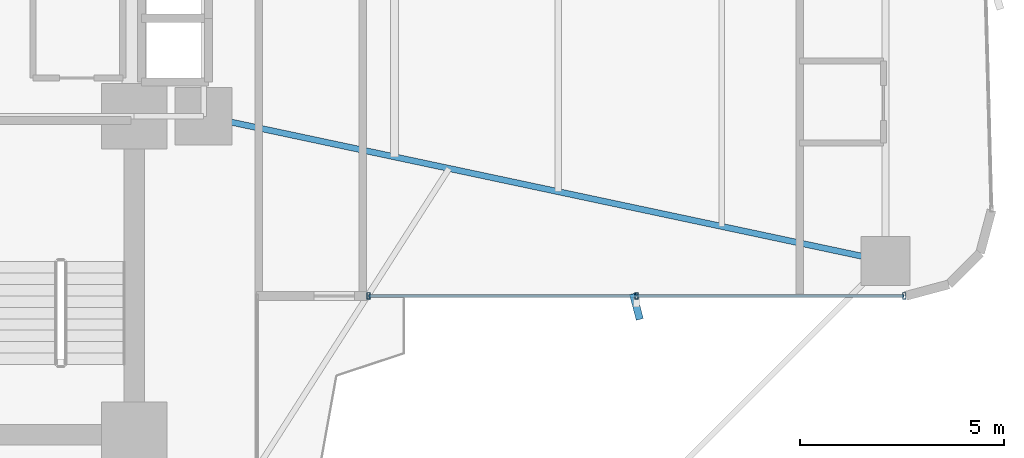
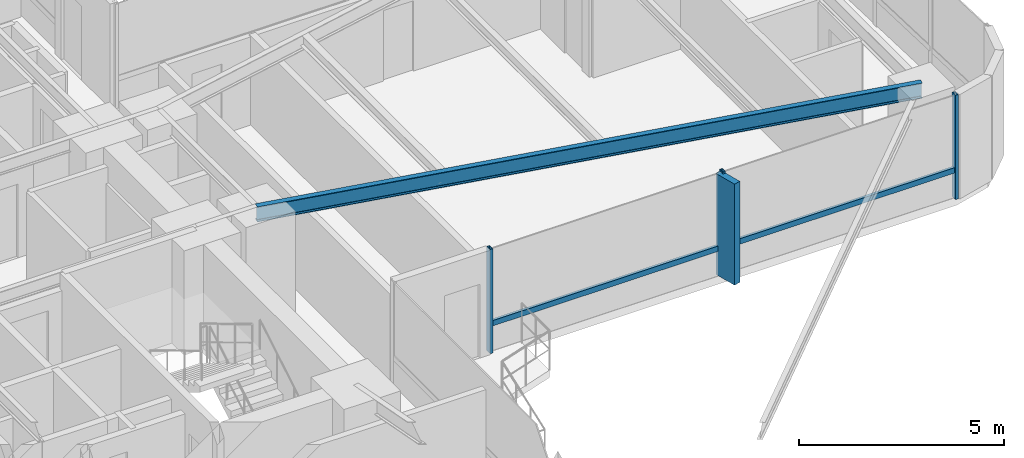
# One storey, part 14 of 26: 6 members, 1 beam, 1 element without a shape of its own.
"""IFC4 building model written with IfcOpenShell, lengths in metres."""

from ifc_helpers import new_model, si_unit, direction, frame, origin, origin_2d, place, context, subcontext, project, spatial, rectangle, hollow_rectangle, i_section, extrude, source, transform, mapped, material, material_profile, profile_set, type_object, element, aggregate, save


model = new_model("IFC4")

# Units and contexts
model_context = context("Model", 3, precision=1e-05, world=origin(), true_north=direction((0.0, 1.0)))
body_context = subcontext(model_context, "Body", "Model", "MODEL_VIEW")
ifc_project = project(units=[si_unit("LENGTHUNIT", "METRE"), si_unit("AREAUNIT", "SQUARE_METRE"), si_unit("VOLUMEUNIT", "CUBIC_METRE"), si_unit("PLANEANGLEUNIT", "RADIAN"), si_unit("MASSUNIT", "GRAM", prefix="KILO")], contexts=[model_context])

# Site, building, storey
site_placement = place(None, origin())
site = spatial("IfcSite", under=ifc_project, at=site_placement, CompositionType="ELEMENT")
building_placement = place(site_placement, origin())
building = spatial("IfcBuilding", under=site, at=building_placement, Name="Sahyath Konkavel Grand Hotel", CompositionType="ELEMENT")
storey_placement = place(building_placement, frame((0.0, 0.0, 61.10009765625)))
storey = spatial("IfcBuildingStorey", under=building, at=storey_placement, Name="L16", CompositionType="ELEMENT", Elevation=61.10009765625)

# Beam
ifc_material_1 = material(Name="Steel E350", Category="steel")
ifc_material_profile_1 = material_profile(ifc_material_1, i_section(OverallWidth=0.14990234375, OverallDepth=0.449951171875, WebThickness=0.009521484375, FlangeThickness=0.017333984375, FilletRadius=0.014892578125, at=origin_2d()), Name="ISMB 450")
ifc_profile_set_1 = profile_set([ifc_material_profile_1], Name="Steel E350")
beam_type = type_object("IfcBeamType", Name="BM-ISMB450", PredefinedType="BEAM", material=ifc_profile_set_1)
shared_shape_1 = source(origin(), body_context, "Body", "SweptSolid", [
    extrude(i_section(OverallWidth=0.14990234375, OverallDepth=0.449951171875, WebThickness=0.009521484375, FlangeThickness=0.017333984375, FilletRadius=0.014892578125, at=origin_2d()), origin(), (0.0, 0.0, 1.0), 17.072998046875),
])
beam_placement = place(storey_placement, frame((5.5, -2.39990234375, 2.885009765625), z_axis=(0.978143257225, -0.20793212437, 0.0), x_axis=(0.20793212437, 0.978143257225, 0.0)))
element("IfcBeam", 1, at=beam_placement, inside=storey, type_object=beam_type, Name="L16 Cruciform Radial Girder EA", PredefinedType="BEAM", context=body_context, shape_type="MappedRepresentation", body=[
    mapped(shared_shape_1, transform((0.0, 0.0, 0.0), scale=1.0)),
])

# Curtain wall, members
ifc_material_2 = material(Name="Anodised Bronze Aluminium & Low-E Glazing", Category="aluminium")
curtain_wall_type = type_object("IfcCurtainWallType", Name="CW-ZONE1", PredefinedType="NOTDEFINED", material=ifc_material_2)
curtain_wall_placement = place(storey_placement, origin())
curtain_wall = element("IfcCurtainWall", 2, at=curtain_wall_placement, inside=storey, type_object=curtain_wall_type, Name="L16 Unitised Curtain Wall F0", PredefinedType="NOTDEFINED")
ifc_material_3 = material(Name="Anodised Bronze Aluminium", Category="aluminium")
ifc_material_profile_2 = material_profile(ifc_material_3, hollow_rectangle(XDim=0.080078125, YDim=0.159912109375, WallThickness=0.006103515625, at=origin_2d()), Name="RHS 160x80x6")
ifc_profile_set_2 = profile_set([ifc_material_profile_2], Name="Anodised Bronze Aluminium")
member_type_1 = type_object("IfcMemberType", Name="CW-MUL-160", PredefinedType="MULLION", material=ifc_profile_set_2)
shared_shape_2 = source(origin(), body_context, "Body", "SweptSolid", [
    extrude(hollow_rectangle(XDim=0.080078125, YDim=0.159912109375, WallThickness=0.006103515625, at=origin_2d()), origin(), (0.0, 0.0, 1.0), 3.10986328125),
])
member_1_placement = place(storey_placement, frame((9.5400390625, -6.800048828125, 0.0), z_axis=(0.0, 0.0, 1.0), x_axis=(1.0, 0.0, 0.0)))
member_1 = element("IfcMember", 3, at=member_1_placement, type_object=member_type_1, Name="L16 Curtain Wall Mullion F0-0", PredefinedType="MULLION", context=body_context, shape_type="MappedRepresentation", body=[
    mapped(shared_shape_2, transform((0.0, 0.0, 0.0), scale=1.0)),
])
member_2_placement = place(storey_placement, frame((16.10009765625, -6.800048828125, 0.0), z_axis=(0.0, 0.0, 1.0), x_axis=(1.0, 0.0, 0.0)))
member_2 = element("IfcMember", 4, at=member_2_placement, type_object=member_type_1, Name="L16 Curtain Wall Mullion F0-1", PredefinedType="MULLION", context=body_context, shape_type="MappedRepresentation", body=[
    mapped(shared_shape_2, transform((0.0, 0.0, 0.0), scale=1.0)),
])
member_3_placement = place(storey_placement, frame((22.659912109375, -6.800048828125, 0.0), z_axis=(0.0, 0.0, 1.0), x_axis=(1.0, 0.0, 0.0)))
member_3 = element("IfcMember", 5, at=member_3_placement, type_object=member_type_1, Name="L16 Curtain Wall Mullion F0-2", PredefinedType="MULLION", context=body_context, shape_type="MappedRepresentation", body=[
    mapped(shared_shape_2, transform((0.0, 0.0, 0.0), scale=1.0)),
])
ifc_material_4 = material(Name="Warm Buff Sandstone Cladding on Concrete C50/60", Category="masonry")
ifc_material_profile_3 = material_profile(ifc_material_4, rectangle(XDim=0.179931640625, YDim=0.64990234375, at=origin_2d()), Name="FIN 180x650")
ifc_profile_set_3 = profile_set([ifc_material_profile_3], Name="Warm Buff Sandstone Cladding on Concrete C50/60")
member_type_2 = type_object("IfcMemberType", Name="FIN-SANDSTONE-650", PredefinedType="MULLION", material=ifc_profile_set_3)
shared_shape_3 = source(origin(), body_context, "Body", "SweptSolid", [
    extrude(rectangle(XDim=0.179931640625, YDim=0.64990234375, at=origin_2d()), origin(), (0.0, 0.0, 1.0), 3.010009765625),
])
member_4_placement = place(storey_placement, frame((16.10009765625, -7.06005859375, 0.0498046875), z_axis=(0.0, 0.0, 1.0), x_axis=(0.967134752842, 0.254264369988, 0.0)))
member_4 = element("IfcMember", 6, at=member_4_placement, type_object=member_type_2, Name="L16 Sandstone Vertical Solar Fin FIN F0-1", PredefinedType="MULLION", context=body_context, shape_type="MappedRepresentation", body=[
    mapped(shared_shape_3, transform((0.0, 0.0, 0.0), scale=1.0)),
])
ifc_material_profile_4 = material_profile(ifc_material_3, hollow_rectangle(XDim=0.080078125, YDim=0.159912109375, WallThickness=0.006103515625, at=origin_2d()), Name="RHS 160x80x6")
ifc_profile_set_4 = profile_set([ifc_material_profile_4], Name="Anodised Bronze Aluminium")
member_type_3 = type_object("IfcMemberType", Name="CW-TRN-160", PredefinedType="USERDEFINED", material=ifc_profile_set_4)
shared_shape_4 = source(origin(), body_context, "Body", "SweptSolid", [
    extrude(hollow_rectangle(XDim=0.080078125, YDim=0.159912109375, WallThickness=0.006103515625, at=origin_2d()), origin(), (0.0, 0.0, 1.0), 6.56005859375),
])
member_5_placement = place(storey_placement, frame((9.5400390625, -6.800048828125, 0.849853515625), z_axis=(1.0, 0.0, 0.0), x_axis=(0.0, 1.0, 0.0)))
member_5 = element("IfcMember", 7, at=member_5_placement, type_object=member_type_3, Name="L16 Curtain Wall Transom F0-0-spandrel", ObjectType="TRANSOM", PredefinedType="USERDEFINED", context=body_context, shape_type="MappedRepresentation", body=[
    mapped(shared_shape_4, transform((0.0, 0.0, 0.0), scale=1.0)),
])
shared_shape_5 = source(origin(), body_context, "Body", "SweptSolid", [
    extrude(hollow_rectangle(XDim=0.080078125, YDim=0.159912109375, WallThickness=0.006103515625, at=origin_2d()), origin(), (0.0, 0.0, 1.0), 6.559814453125),
])
member_6_placement = place(storey_placement, frame((16.10009765625, -6.800048828125, 0.849853515625), z_axis=(1.0, 0.0, 0.0), x_axis=(0.0, 1.0, 0.0)))
member_6 = element("IfcMember", 8, at=member_6_placement, type_object=member_type_3, Name="L16 Curtain Wall Transom F0-1-spandrel", ObjectType="TRANSOM", PredefinedType="USERDEFINED", context=body_context, shape_type="MappedRepresentation", body=[
    mapped(shared_shape_5, transform((0.0, 0.0, 0.0), scale=1.0)),
])
aggregate(curtain_wall, [member_1, member_2, member_4, member_3, member_5, member_6])

save(model, "model.ifc")
